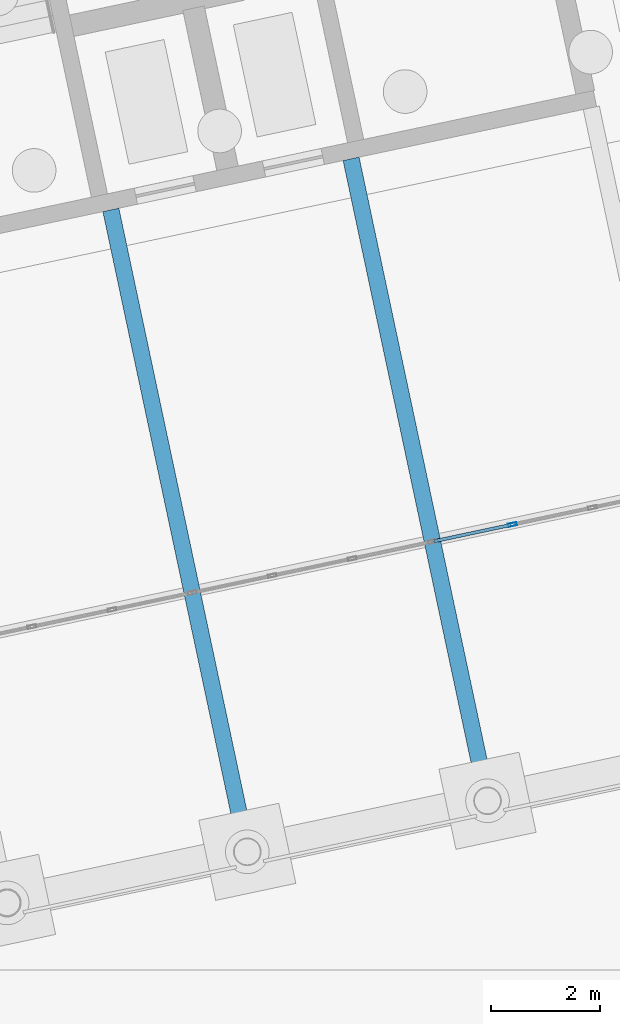
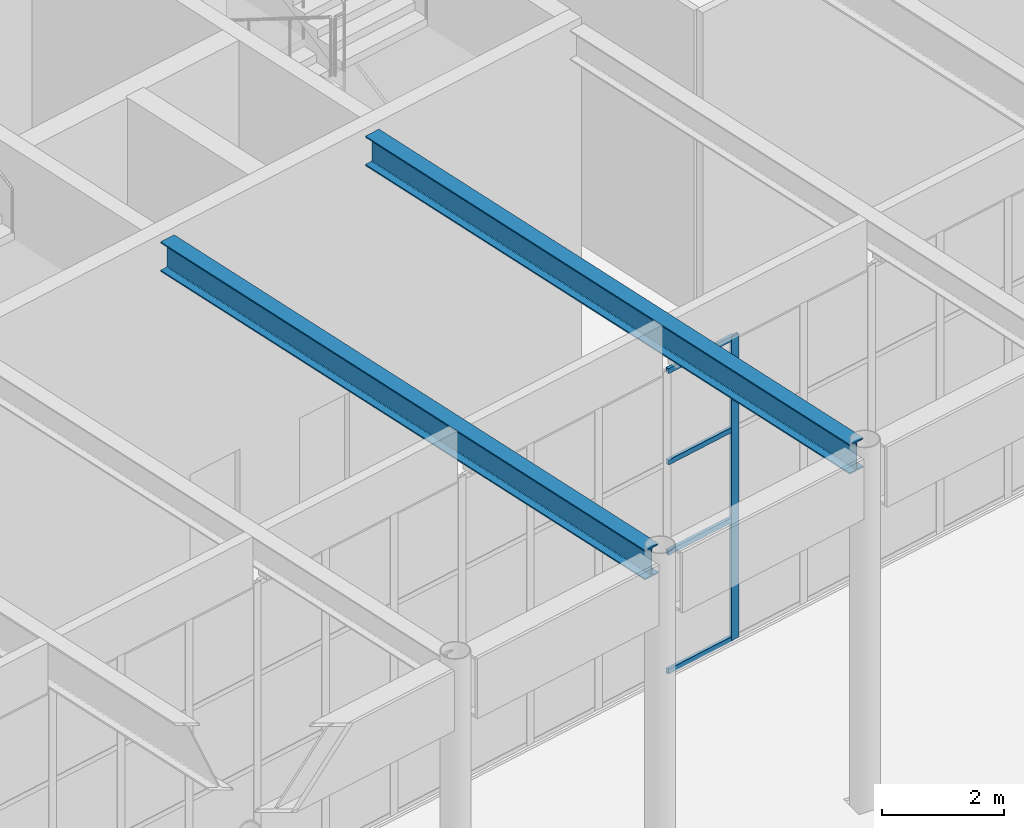
# One storey, part 63 of 239: 5 members, 2 beams, 1 element without a shape of its own.
"""IFC4 building model written with IfcOpenShell, lengths in metres."""

import ifcopenshell
import ifcopenshell.guid

model = None  # the IFC model being written
_history = None  # IfcOwnerHistory: only IFC2X3 demands one
_inside = {}  # id of a spatial element -> (the spatial element, [elements in it])
_under = {}  # id of a project, library or spatial element -> (it, [spatial elements below it])
_declared = {}  # id of a project -> (the project, [libraries it declares])
_typed = {}  # id of a type object -> (the type object, [elements of that type])
_made_of = {}  # id of a material, layer set ... -> (it, [elements and type objects made of it])


def new_model(schema):
    """Start an empty IFC model of exactly this schema.

    Asked for "IFC4X3", IfcOpenShell would pick the latest addendum, in which some entities
    have other attributes; the version numbers below select the first issue.
    IFC2X3 requires an IfcOwnerHistory on every rooted entity: one is made here for all.
    """
    global model, _history
    if schema == "IFC4X3":
        model = ifcopenshell.file(schema_version=(4, 3, 0, 0))
    else:
        model = ifcopenshell.file(schema=schema)
    _inside.clear()
    _under.clear()
    _declared.clear()
    _typed.clear()
    _made_of.clear()
    _history = None
    if model.schema == "IFC2X3":
        org = make("IfcOrganization", Name="unknown")
        user = make(
            "IfcPersonAndOrganization",
            ThePerson=make("IfcPerson", FamilyName="unknown"),
            TheOrganization=org,
        )
        app = make(
            "IfcApplication",
            ApplicationDeveloper=org,
            Version="unknown",
            ApplicationFullName="unknown",
            ApplicationIdentifier="unknown",
        )
        _history = make(
            "IfcOwnerHistory",
            OwningUser=user,
            OwningApplication=app,
            ChangeAction="ADDED",
            CreationDate=0,
        )
    return model


def make(cls, **values):
    """One entity of the class cls with the attributes given. An attribute that is None is left unset."""
    return model.create_entity(
        cls, **{name: value for name, value in values.items() if value is not None}
    )


def rooted(cls, **values):
    """An entity with a GlobalId (a new one), such as an element, a storey or a relation."""
    return make(cls, GlobalId=ifcopenshell.guid.new(), OwnerHistory=_history, **values)


def si_unit(unit_type, name, prefix=None):
    """IfcSIUnit, for example si_unit("LENGTHUNIT", "METRE", prefix="MILLI")."""
    return make("IfcSIUnit", UnitType=unit_type, Prefix=prefix, Name=name)


def assignment(units):
    """IfcUnitAssignment: the units of a project."""
    return None if units is None else make("IfcUnitAssignment", Units=units)


def point(xyz):
    """IfcCartesianPoint."""
    return None if xyz is None else make("IfcCartesianPoint", Coordinates=xyz)


def direction(xyz):
    """IfcDirection."""
    return None if xyz is None else make("IfcDirection", DirectionRatios=xyz)


def frame(location, z_axis=None, x_axis=None):
    """IfcAxis2Placement3D, a coordinate frame: its origin and axes. An axis left out is left unset."""
    return make(
        "IfcAxis2Placement3D",
        Location=point(location),
        Axis=direction(z_axis),
        RefDirection=direction(x_axis),
    )


def frame_2d(location, x_axis=None):
    """IfcAxis2Placement2D, a coordinate frame in the plane: its origin and x axis."""
    return make(
        "IfcAxis2Placement2D", Location=point(location), RefDirection=direction(x_axis)
    )


def origin():
    """The frame at (0, 0, 0) with its axes left unset."""
    return frame((0.0, 0.0, 0.0))


def origin_2d():
    """The frame at (0, 0) in the plane with its x axis left unset."""
    return frame_2d((0.0, 0.0))


def place(relative_to, where):
    """IfcLocalPlacement: puts the frame where relative to a parent placement (None: the world)."""
    return make(
        "IfcLocalPlacement", PlacementRelTo=relative_to, RelativePlacement=where
    )


def context(
    kind, dimensions, precision=None, world=None, true_north=None, identifier=None
):
    """IfcGeometricRepresentationContext, for example the 3D "Model" context."""
    return make(
        "IfcGeometricRepresentationContext",
        ContextIdentifier=identifier,
        ContextType=kind,
        CoordinateSpaceDimension=dimensions,
        Precision=precision,
        WorldCoordinateSystem=world,
        TrueNorth=true_north,
    )


def subcontext(parent, identifier, kind, view, scale=None):
    """IfcGeometricRepresentationSubContext, for example "Body" below "Model"."""
    return make(
        "IfcGeometricRepresentationSubContext",
        ContextIdentifier=identifier,
        ContextType=kind,
        ParentContext=parent,
        TargetScale=scale,
        TargetView=view,
    )


def project(units=None, contexts=None):
    """IfcProject with its units and contexts."""
    return rooted(
        "IfcProject",
        Name="project",
        RepresentationContexts=contexts,
        UnitsInContext=assignment(units),
    )


def spatial(cls, under=None, at=None, **own):
    """A site, building, storey or space (cls), placed at a placement, below another one or the project."""
    s = rooted(cls, ObjectPlacement=at, **own)
    if under is not None:
        _under.setdefault(under.id(), (under, []))[1].append(s)
    return s


def profile(cls, at=None, kind="AREA", **sizes):
    """A parametric profile (cls). Its sizes go by their IFC names, for example OverallWidth=200.0."""
    return make(cls, ProfileType=kind, Position=at, **sizes)


def hollow_rectangle(**sizes):
    """IfcRectangleHollowProfileDef."""
    return profile("IfcRectangleHollowProfileDef", **sizes)


def i_section(**sizes):
    """IfcIShapeProfileDef."""
    return profile("IfcIShapeProfileDef", **sizes)


def extrude(swept, where, along, depth):
    """IfcExtrudedAreaSolid: the profile swept, set in the frame where, extruded along a direction by depth."""
    return make(
        "IfcExtrudedAreaSolid",
        SweptArea=swept,
        Position=where,
        ExtrudedDirection=direction(along),
        Depth=depth,
    )


def shape(context_of_items, identifier, shape_type, items):
    """IfcShapeRepresentation: the items that make up one representation, for example the "Body"."""
    return make(
        "IfcShapeRepresentation",
        ContextOfItems=context_of_items,
        RepresentationIdentifier=identifier,
        RepresentationType=shape_type,
        Items=items,
    )


def material(Name=None, Category=None):
    """IfcMaterial."""
    return make("IfcMaterial", Name=Name, Category=Category)


def material_profile(
    of_material, cross_section, Name=None, Category=None, Priority=None
):
    """IfcMaterialProfile: a cross section and its material."""
    return make(
        "IfcMaterialProfile",
        Name=Name,
        Material=of_material,
        Profile=cross_section,
        Priority=Priority,
        Category=Category,
    )


def profile_set(profiles, Name=None, composite=None):
    """IfcMaterialProfileSet."""
    return make(
        "IfcMaterialProfileSet",
        Name=Name,
        MaterialProfiles=profiles,
        CompositeProfile=composite,
    )


def made_of(thing, what):
    """Note that an element or type object is made of a material, layer set ...; save() writes the relation."""
    if what is not None:
        _made_of.setdefault(what.id(), (what, []))[1].append(thing)
    return thing


def type_object(cls, material=None, **own):
    """A type object (cls), such as IfcWallType, which elements share."""
    return made_of(rooted(cls, **own), material)


def element(
    cls,
    number,
    at=None,
    inside=None,
    cuts=None,
    type_object=None,
    material=None,
    context=None,
    identifier="Body",
    shape_type=None,
    held_by="IfcProductDefinitionShape",
    body=None,
    shapes=None,
    **own,
):
    """One element of the class cls, such as IfcWall. Its Tag is "e" and its number.

    at: its placement. inside: the storey or other place that contains it. cuts: it is an
    opening in that element (IfcRelVoidsElement). A single representation is given by context,
    identifier, shape_type and body (its items); several are given by shapes. held_by: the class
    of the entity that holds the representations. save() writes the other relations.
    """
    e = rooted(cls, Tag="e%d" % number, ObjectPlacement=at, **own)
    if body is not None:
        shapes = [shape(context, identifier, shape_type, body)]
    if shapes is not None:
        e.Representation = make(held_by, Representations=shapes)
    if inside is not None:
        _inside.setdefault(inside.id(), (inside, []))[1].append(e)
    if cuts is not None:
        rooted(
            "IfcRelVoidsElement", RelatingBuildingElement=cuts, RelatedOpeningElement=e
        )
    if type_object is not None:
        _typed.setdefault(type_object.id(), (type_object, []))[1].append(e)
    return made_of(e, material)


def aggregate(whole, parts):
    """IfcRelAggregates: a whole, such as a stair, and the parts it consists of."""
    return rooted("IfcRelAggregates", RelatingObject=whole, RelatedObjects=parts)


def save(model, path):
    """Write the relations noted so far, then the file.

    IfcRelAggregates (storeys below a building ...), IfcRelContainedInSpatialStructure (elements
    in a storey), IfcRelDefinesByType, IfcRelAssociatesMaterial and IfcRelDeclares: one each for
    every whole, place, type object, material and project.
    """
    for whole, parts in _under.values():
        aggregate(whole, parts)
    for where, things in _inside.values():
        rooted(
            "IfcRelContainedInSpatialStructure",
            RelatedElements=things,
            RelatingStructure=where,
        )
    for kind, things in _typed.values():
        rooted("IfcRelDefinesByType", RelatedObjects=things, RelatingType=kind)
    for what, things in _made_of.values():
        rooted("IfcRelAssociatesMaterial", RelatedObjects=things, RelatingMaterial=what)
    for by, libraries in _declared.values():
        rooted("IfcRelDeclares", RelatingContext=by, RelatedDefinitions=libraries)
    model.write(path)


model = new_model("IFC4")

# Units and contexts
model_context = context("Model", 3, precision=1e-05, world=origin(), true_north=direction((0.0, 1.0)))
body_context = subcontext(model_context, "Body", "Model", "MODEL_VIEW")
ifc_project = project(units=[si_unit("LENGTHUNIT", "METRE"), si_unit("AREAUNIT", "SQUARE_METRE"), si_unit("VOLUMEUNIT", "CUBIC_METRE"), si_unit("PLANEANGLEUNIT", "RADIAN"), si_unit("MASSUNIT", "GRAM", prefix="KILO")], contexts=[model_context])

# Site, building, storey
site_placement = place(None, origin())
site = spatial("IfcSite", under=ifc_project, at=site_placement, CompositionType="ELEMENT")
building_placement = place(site_placement, origin())
building = spatial("IfcBuilding", under=site, at=building_placement, Name="Okhra Congress Centre", CompositionType="ELEMENT")
storey_placement = place(building_placement, origin())
storey = spatial("IfcBuildingStorey", under=building, at=storey_placement, Name="L00", CompositionType="ELEMENT", Elevation=0.0)

# Curtain wall, members
ifc_material_1 = material(Name="Aluminium curtain wall, triple glazing", Category="aluminium")
curtain_wall_type = type_object("IfcCurtainWallType", Name="Curtain wall 1500 module", PredefinedType="NOTDEFINED", material=ifc_material_1)
curtain_wall_placement = place(storey_placement, origin())
curtain_wall = element("IfcCurtainWall", 1, at=curtain_wall_placement, inside=storey, type_object=curtain_wall_type, Name="Ground curtain wall S2", PredefinedType="NOTDEFINED")
ifc_material_2 = material(Name="Aluminium alloy EN AW-6063 T66", Category="aluminium")
ifc_material_profile_1 = material_profile(ifc_material_2, hollow_rectangle(XDim=0.06005859375, YDim=0.159912109375, WallThickness=0.00390625, at=origin_2d()), Name="RHS 60x160x4")
ifc_profile_set_1 = profile_set([ifc_material_profile_1], Name="Aluminium alloy EN AW-6063 T66")
member_type_1 = type_object("IfcMemberType", Name="Curtain wall mullion 60x160", PredefinedType="MULLION", material=ifc_profile_set_1)
member_1_placement = place(storey_placement, frame((109.88720703125, 42.16162109375, 0.0), z_axis=(0.0, 0.0, 1.0), x_axis=(-0.207911690818, 0.978147600734, 0.0)))
member_1 = element("IfcMember", 2, at=member_1_placement, type_object=member_type_1, Name="CW7 mullion 15", PredefinedType="MULLION", context=body_context, shape_type="SweptSolid", body=[
    extrude(hollow_rectangle(XDim=0.06005859375, YDim=0.159912109375, WallThickness=0.00390625, at=origin_2d()), origin(), (0.0, 0.0, 1.0), 6.050048828125),
])
ifc_material_profile_2 = material_profile(ifc_material_2, hollow_rectangle(XDim=0.06005859375, YDim=0.10009765625, WallThickness=0.00390625, at=origin_2d()), Name="RHS 60x100x4")
ifc_profile_set_2 = profile_set([ifc_material_profile_2], Name="Aluminium alloy EN AW-6063 T66")
member_type_2 = type_object("IfcMemberType", Name="Curtain wall transom 60x100", PredefinedType="USERDEFINED", material=ifc_profile_set_2)
member_2_placement = place(storey_placement, frame((108.44921875, 41.85595703125, 0.030029296875), z_axis=(0.978121346413, 0.208035169362, 0.0), x_axis=(-0.208035169362, 0.978121346413, 0.0)))
member_2 = element("IfcMember", 3, at=member_2_placement, type_object=member_type_2, Name="CW7 transom 14.1", ObjectType="TRANSOM", PredefinedType="USERDEFINED", context=body_context, shape_type="SweptSolid", body=[
    extrude(hollow_rectangle(XDim=0.06005859375, YDim=0.10009765625, WallThickness=0.00390625, at=origin_2d()), origin(), (0.0, 0.0, 1.0), 1.43994140625),
])
member_3_placement = place(storey_placement, frame((108.44921875, 41.85595703125, 2.39990234375), z_axis=(0.978121346413, 0.208035169362, 0.0), x_axis=(-0.208035169362, 0.978121346413, 0.0)))
member_3 = element("IfcMember", 4, at=member_3_placement, type_object=member_type_2, Name="CW7 transom 14.2", ObjectType="TRANSOM", PredefinedType="USERDEFINED", context=body_context, shape_type="SweptSolid", body=[
    extrude(hollow_rectangle(XDim=0.06005859375, YDim=0.10009765625, WallThickness=0.00390625, at=origin_2d()), origin(), (0.0, 0.0, 1.0), 1.43994140625),
])
member_4_placement = place(storey_placement, frame((108.44921875, 41.85595703125, 4.199951171875), z_axis=(0.978121346413, 0.208035169362, 0.0), x_axis=(-0.208035169362, 0.978121346413, 0.0)))
member_4 = element("IfcMember", 5, at=member_4_placement, type_object=member_type_2, Name="CW7 transom 14.3", ObjectType="TRANSOM", PredefinedType="USERDEFINED", context=body_context, shape_type="SweptSolid", body=[
    extrude(hollow_rectangle(XDim=0.06005859375, YDim=0.10009765625, WallThickness=0.00390625, at=origin_2d()), origin(), (0.0, 0.0, 1.0), 1.43994140625),
])
member_5_placement = place(storey_placement, frame((108.44921875, 41.85595703125, 6.02001953125), z_axis=(0.978121346413, 0.208035169362, 0.0), x_axis=(-0.208035169362, 0.978121346413, 0.0)))
member_5 = element("IfcMember", 6, at=member_5_placement, type_object=member_type_2, Name="CW7 transom 14.4", ObjectType="TRANSOM", PredefinedType="USERDEFINED", context=body_context, shape_type="SweptSolid", body=[
    extrude(hollow_rectangle(XDim=0.06005859375, YDim=0.10009765625, WallThickness=0.00390625, at=origin_2d()), origin(), (0.0, 0.0, 1.0), 1.43994140625),
])
aggregate(curtain_wall, [member_1, member_2, member_3, member_4, member_5])

# Beams
ifc_material_3 = material(Name="Steel S355J2", Category="steel")
ifc_material_profile_3 = material_profile(ifc_material_3, i_section(OverallWidth=0.300048828125, OverallDepth=0.590087890625, WebThickness=0.012939453125, FlangeThickness=0.02490234375, FilletRadius=0.027099609375, at=origin_2d()), Name="HE 600 A")
ifc_profile_set_3 = profile_set([ifc_material_profile_3], Name="Steel S355J2")
beam_type = type_object("IfcBeamType", Name="Floor beam HE 600 A", PredefinedType="BEAM", material=ifc_profile_set_3)
for number, where, z_axis, x_axis, name in (
    (7, (104.986083984375, 36.36083984375, 6.7548828125), (-0.207905918374, 0.978148827687, 0.0), (-0.978148827687, -0.207905918374, 0.0), "Floor beam 10.1"),
    (8, (109.3876953125, 37.29638671875, 6.7548828125), (-0.207905918374, 0.978148827687, 0.0), (-0.978148827687, -0.207905918374, 0.0), "Floor beam 11.1"),
):
    element("IfcBeam", number, at=place(storey_placement, frame(where, z_axis=z_axis, x_axis=x_axis)), inside=storey, type_object=beam_type, Name=name, PredefinedType="BEAM", context=body_context, shape_type="SweptSolid", body=[
        extrude(i_section(OverallWidth=0.300048828125, OverallDepth=0.590087890625, WebThickness=0.012939453125, FlangeThickness=0.02490234375, FilletRadius=0.027099609375, at=origin_2d()), origin(), (0.0, 0.0, 1.0), 11.824951171875),
    ])

save(model, "model.ifc")
